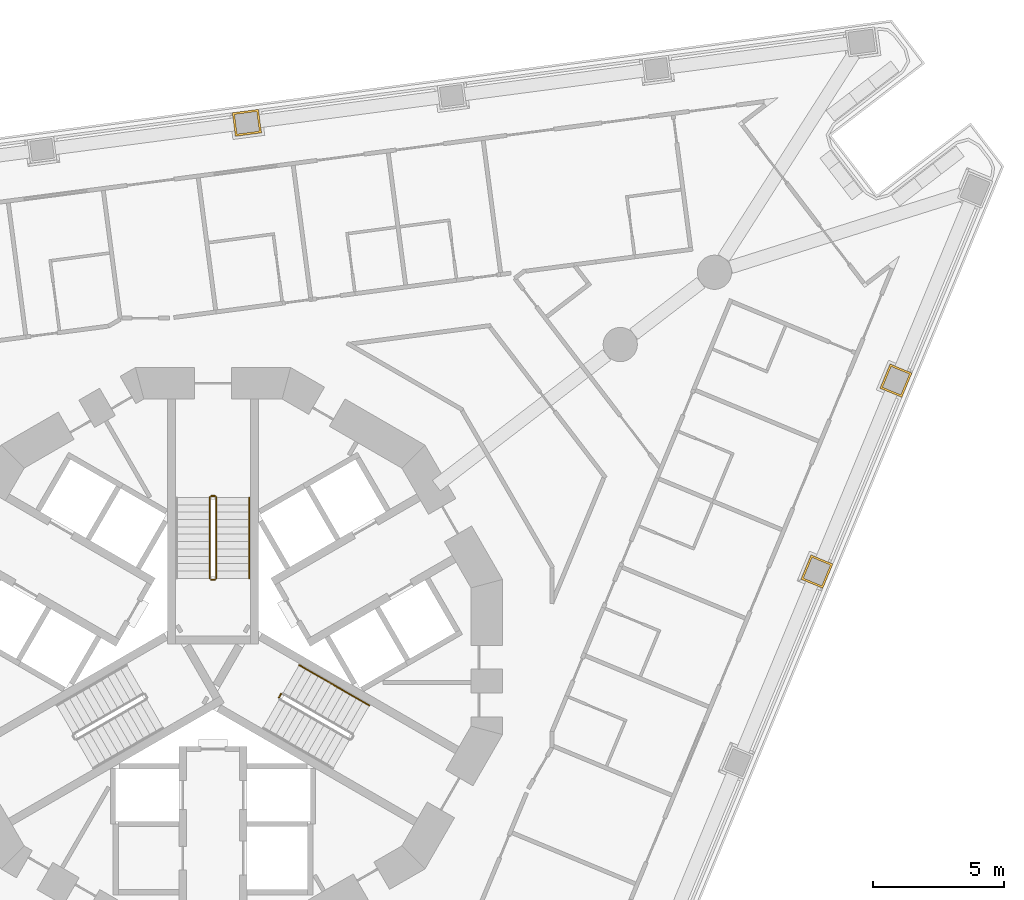
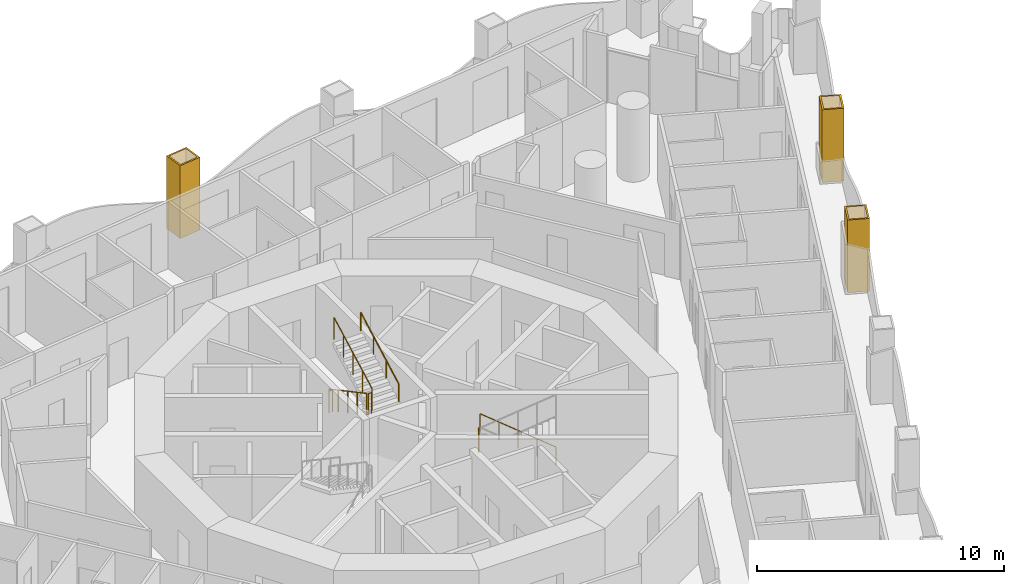
# One storey, part 17 of 19: 8 railings, 3 coverings.
"""IFC4 building model written with IfcOpenShell, lengths in metres."""

from ifc_helpers import new_model, si_unit, direction, frame, origin, origin_2d, place, context, subcontext, project, spatial, polyline, circle, outline, extrude, material, layer, layer_set, type_object, element, save


model = new_model("IFC4")

# Units and contexts
model_context = context("Model", 3, precision=1e-05, world=origin(), true_north=direction((0.0, 1.0)))
body_context = subcontext(model_context, "Body", "Model", "MODEL_VIEW")
ifc_project = project(units=[si_unit("LENGTHUNIT", "METRE"), si_unit("AREAUNIT", "SQUARE_METRE"), si_unit("VOLUMEUNIT", "CUBIC_METRE"), si_unit("PLANEANGLEUNIT", "RADIAN"), si_unit("MASSUNIT", "GRAM", prefix="KILO")], contexts=[model_context])

# Site, building, storey
site_placement = place(None, origin())
site = spatial("IfcSite", under=ifc_project, at=site_placement, CompositionType="ELEMENT")
building_placement = place(site_placement, origin())
building = spatial("IfcBuilding", under=site, at=building_placement, Name="Trine Commons Tower", CompositionType="ELEMENT")
storey_placement = place(building_placement, frame((0.0, 0.0, 54.0)))
storey = spatial("IfcBuildingStorey", under=building, at=storey_placement, Name="L12", CompositionType="ELEMENT", Elevation=54.0)

# Coverings
ifc_material_1 = material(Name="Limestone, honed", Category="masonry")
ifc_layer = layer(ifc_material_1, 0.074951171875)
ifc_layer_set = layer_set([ifc_layer], Name="Limestone, honed")
covering_type = type_object("IfcCoveringType", Name="Limestone column cladding 75", PredefinedType="CLADDING", material=ifc_layer_set)
covering_1_placement = place(storey_placement, origin())
element("IfcCovering", 1, at=covering_1_placement, inside=storey, type_object=covering_type, Name="Limestone pier cladding 2-13", PredefinedType="CLADDING", context=body_context, shape_type="SweptSolid", body=[
    extrude(outline(polyline([(81.843505859375, 82.43798828125), (81.72607421875, 83.330322265625), (80.734619140625, 83.19970703125), (80.85205078125, 82.3076171875), (81.843505859375, 82.43798828125)]), holes=[polyline([(81.759521484375, 82.502685546875), (81.66162109375, 83.24609375), (80.81884765625, 83.13525390625), (80.916748046875, 82.3916015625), (81.759521484375, 82.502685546875)])]), origin(), (0.0, 0.0, 1.0), 3.60009765625),
])
covering_2_placement = place(storey_placement, origin())
element("IfcCovering", 2, at=covering_2_placement, inside=storey, type_object=covering_type, Name="Limestone pier cladding 2-18", PredefinedType="CLADDING", context=body_context, shape_type="SweptSolid", body=[
    extrude(outline(polyline([(106.58349609375, 73.30029296875), (105.751953125, 73.644775390625), (105.369140625, 72.720947265625), (106.20068359375, 72.37646484375), (106.58349609375, 73.30029296875)]), holes=[polyline([(106.4853515625, 73.259765625), (105.79248046875, 73.546875), (105.46728515625, 72.761474609375), (106.16015625, 72.474365234375), (106.4853515625, 73.259765625)])]), origin(), (0.0, 0.0, 1.0), 3.60009765625),
])
covering_3_placement = place(storey_placement, origin())
element("IfcCovering", 3, at=covering_3_placement, inside=storey, type_object=covering_type, Name="Limestone pier cladding 2-19", PredefinedType="CLADDING", context=body_context, shape_type="SweptSolid", body=[
    extrude(outline(polyline([(103.575439453125, 66.0380859375), (102.743896484375, 66.382568359375), (102.361083984375, 65.458740234375), (103.192626953125, 65.114501953125), (103.575439453125, 66.0380859375)]), holes=[polyline([(103.477294921875, 65.99755859375), (102.784423828125, 66.28466796875), (102.459228515625, 65.49951171875), (103.152099609375, 65.21240234375), (103.477294921875, 65.99755859375)])]), origin(), (0.0, 0.0, 1.0), 3.60009765625),
])

# Railings
ifc_material_2 = material(Name="Stainless steel balustrade", Category="steel")
railing_type_1 = type_object("IfcRailingType", Name="Stair guard, steel balustrade 1100", PredefinedType="GUARDRAIL", material=ifc_material_2)
railing_1_placement = place(storey_placement, frame((79.875, 68.570556640625, 0.14990234375)))
element("IfcRailing", 4, at=railing_1_placement, inside=storey, type_object=railing_type_1, Name="L12 ST1A stair guard 1", PredefinedType="GUARDRAIL", context=body_context, shape_type="SweptSolid", body=[
    extrude(circle(Radius=0.02392578125, at=origin_2d()), frame((0.0, 0.0, 1.076171875), z_axis=(0.0, -0.881467505477, 0.472244678941), x_axis=(1.0, 0.0, 0.0)), (0.0, 0.0, 1.0), 3.494140625),
    extrude(circle(Radius=0.02099609375, at=origin_2d()), origin(), (0.0, 0.0, 1.0), 1.052001953125),
    extrude(circle(Radius=0.02099609375, at=origin_2d()), frame((0.0, -0.77001953125, 0.41259765625)), (0.0, 0.0, 1.0), 1.052001953125),
    extrude(circle(Radius=0.02099609375, at=origin_2d()), frame((0.0, -1.5400390625, 0.8251953125)), (0.0, 0.0, 1.0), 1.052001953125),
    extrude(circle(Radius=0.02099609375, at=origin_2d()), frame((0.0, -2.31005859375, 1.237548828125)), (0.0, 0.0, 1.0), 1.052001953125),
    extrude(circle(Radius=0.02099609375, at=origin_2d()), frame((0.0, -3.080078125, 1.650146484375)), (0.0, 0.0, 1.0), 1.052001953125),
])
railing_2_placement = place(storey_placement, frame((79.925048828125, 65.440673828125, 1.800048828125)))
element("IfcRailing", 5, at=railing_2_placement, inside=storey, type_object=railing_type_1, Name="L12 ST1A stair guard 2", PredefinedType="GUARDRAIL", context=body_context, shape_type="SweptSolid", body=[
    extrude(circle(Radius=0.02392578125, at=origin_2d()), frame((0.0, 0.0, 1.076171875), z_axis=(1.0, 0.0, 0.0), x_axis=(0.0, 1.0, 0.0)), (0.0, 0.0, 1.0), 0.14990234375),
    extrude(circle(Radius=0.02099609375, at=origin_2d()), origin(), (0.0, 0.0, 1.0), 1.052001953125),
    extrude(circle(Radius=0.02099609375, at=origin_2d()), frame((0.14990234375, 0.0, 0.0)), (0.0, 0.0, 1.0), 1.052001953125),
])
railing_3_placement = place(storey_placement, frame((80.125, 65.490478515625, 1.949951171875)))
element("IfcRailing", 6, at=railing_3_placement, inside=storey, type_object=railing_type_1, Name="L12 ST1A stair guard 3", PredefinedType="GUARDRAIL", context=body_context, shape_type="SweptSolid", body=[
    extrude(circle(Radius=0.02392578125, at=origin_2d()), frame((0.0, 0.0, 1.076171875), z_axis=(0.0, 0.881467505477, 0.472244678941), x_axis=(-1.0, 0.0, 0.0)), (0.0, 0.0, 1.0), 3.494140625),
    extrude(circle(Radius=0.02099609375, at=origin_2d()), origin(), (0.0, 0.0, 1.0), 1.052001953125),
    extrude(circle(Radius=0.02099609375, at=origin_2d()), frame((0.0, 0.77001953125, 0.41259765625)), (0.0, 0.0, 1.0), 1.052001953125),
    extrude(circle(Radius=0.02099609375, at=origin_2d()), frame((0.0, 1.5400390625, 0.8251953125)), (0.0, 0.0, 1.0), 1.052001953125),
    extrude(circle(Radius=0.02099609375, at=origin_2d()), frame((0.0, 2.31005859375, 1.237548828125)), (0.0, 0.0, 1.0), 1.052001953125),
    extrude(circle(Radius=0.02099609375, at=origin_2d()), frame((0.0, 3.080078125, 1.650146484375)), (0.0, 0.0, 1.0), 1.052001953125),
])
railing_4_placement = place(storey_placement, frame((79.925048828125, 68.62060546875, 0.0)))
element("IfcRailing", 7, at=railing_4_placement, inside=storey, type_object=railing_type_1, Name="L12 ST1A stair guard 4", PredefinedType="GUARDRAIL", context=body_context, shape_type="SweptSolid", body=[
    extrude(circle(Radius=0.02392578125, at=origin_2d()), frame((0.0, 0.0, 1.076171875), z_axis=(1.0, 0.0, 0.0), x_axis=(0.0, 1.0, 0.0)), (0.0, 0.0, 1.0), 0.14990234375),
    extrude(circle(Radius=0.02099609375, at=origin_2d()), origin(), (0.0, 0.0, 1.0), 1.052001953125),
    extrude(circle(Radius=0.02099609375, at=origin_2d()), frame((0.14990234375, 0.0, 0.0)), (0.0, 0.0, 1.0), 1.052001953125),
])
railing_5_placement = place(storey_placement, frame((82.584228515625, 61.0947265625, 1.800048828125)))
element("IfcRailing", 8, at=railing_5_placement, inside=storey, type_object=railing_type_1, Name="L12 ST3A stair guard 2", PredefinedType="GUARDRAIL", context=body_context, shape_type="SweptSolid", body=[
    extrude(circle(Radius=0.02392578125, at=origin_2d()), frame((0.0, 0.0, 1.076171875), z_axis=(-0.501036270542, -0.865426285481, 0.0), x_axis=(0.865426285481, -0.501036270542, 0.0)), (0.0, 0.0, 1.0), 0.150146484375),
    extrude(circle(Radius=0.02099609375, at=origin_2d()), origin(), (0.0, 0.0, 1.0), 1.052001953125),
    extrude(circle(Radius=0.02099609375, at=origin_2d()), frame((-0.0751953125, -0.1298828125, 0.0)), (0.0, 0.0, 1.0), 1.052001953125),
])
ifc_material_3 = material(Name="Stainless steel handrail", Category="steel")
railing_type_2 = type_object("IfcRailingType", Name="Stair handrail, steel 900", PredefinedType="HANDRAIL", material=ifc_material_3)
railing_6_placement = place(storey_placement, frame((81.375, 65.490478515625, 1.949951171875)))
element("IfcRailing", 9, at=railing_6_placement, inside=storey, type_object=railing_type_2, Name="L12 ST1A stair handrail 2", PredefinedType="HANDRAIL", context=body_context, shape_type="SweptSolid", body=[
    extrude(circle(Radius=0.02099609375, at=origin_2d()), frame((0.0, 0.0, 0.87890625), z_axis=(0.0, 0.881467505477, 0.472244678941), x_axis=(-1.0, 0.0, 0.0)), (0.0, 0.0, 1.0), 3.494140625),
    extrude(circle(Radius=0.01513671875, at=origin_2d()), origin(), (0.0, 0.0, 1.0), 0.85791015625),
    extrude(circle(Radius=0.01513671875, at=origin_2d()), frame((0.0, 1.026611328125, 0.550048828125)), (0.0, 0.0, 1.0), 0.85791015625),
    extrude(circle(Radius=0.01513671875, at=origin_2d()), frame((0.0, 2.053466796875, 1.10009765625)), (0.0, 0.0, 1.0), 0.85791015625),
    extrude(circle(Radius=0.01513671875, at=origin_2d()), frame((0.0, 3.080078125, 1.650146484375)), (0.0, 0.0, 1.0), 0.85791015625),
])
railing_7_placement = place(storey_placement, frame((85.94482421875, 60.655517578125, 0.14990234375)))
element("IfcRailing", 10, at=railing_7_placement, inside=storey, type_object=railing_type_2, Name="L12 ST3A stair handrail 1", PredefinedType="HANDRAIL", context=body_context, shape_type="SweptSolid", body=[
    extrude(circle(Radius=0.02099609375, at=origin_2d()), frame((0.0, 0.0, 0.87890625), z_axis=(-0.763354580307, 0.440713956853, 0.472293333596), x_axis=(-0.499992328818, -0.866029832698, 0.0)), (0.0, 0.0, 1.0), 1.747314453125),
    extrude(circle(Radius=0.01513671875, at=origin_2d()), origin(), (0.0, 0.0, 1.0), 0.85791015625),
    extrude(circle(Radius=0.01513671875, at=origin_2d()), frame((-0.6669921875, 0.385009765625, 0.41259765625)), (0.0, 0.0, 1.0), 0.85791015625),
    extrude(circle(Radius=0.01513671875, at=origin_2d()), frame((-1.333740234375, 0.77001953125, 0.8251953125)), (0.0, 0.0, 1.0), 0.85791015625),
])
railing_8_placement = place(storey_placement, frame((84.611083984375, 61.425537109375, 0.97509765625)))
element("IfcRailing", 11, at=railing_8_placement, inside=storey, type_object=railing_type_2, Name="L12 ST3A stair handrail 2", PredefinedType="HANDRAIL", context=body_context, shape_type="SweptSolid", body=[
    extrude(circle(Radius=0.02099609375, at=origin_2d()), frame((0.0, 0.0, 0.87890625), z_axis=(-0.76340495495, 0.440743040072, 0.472184759798), x_axis=(-0.499992328818, -0.866029832698, 0.0)), (0.0, 0.0, 1.0), 1.7470703125),
    extrude(circle(Radius=0.01513671875, at=origin_2d()), origin(), (0.0, 0.0, 1.0), 0.85791015625),
    extrude(circle(Radius=0.01513671875, at=origin_2d()), frame((-0.6669921875, 0.385009765625, 0.41259765625)), (0.0, 0.0, 1.0), 0.85791015625),
    extrude(circle(Radius=0.01513671875, at=origin_2d()), frame((-1.333740234375, 0.77001953125, 0.824951171875)), (0.0, 0.0, 1.0), 0.85791015625),
])

save(model, "model.ifc")
